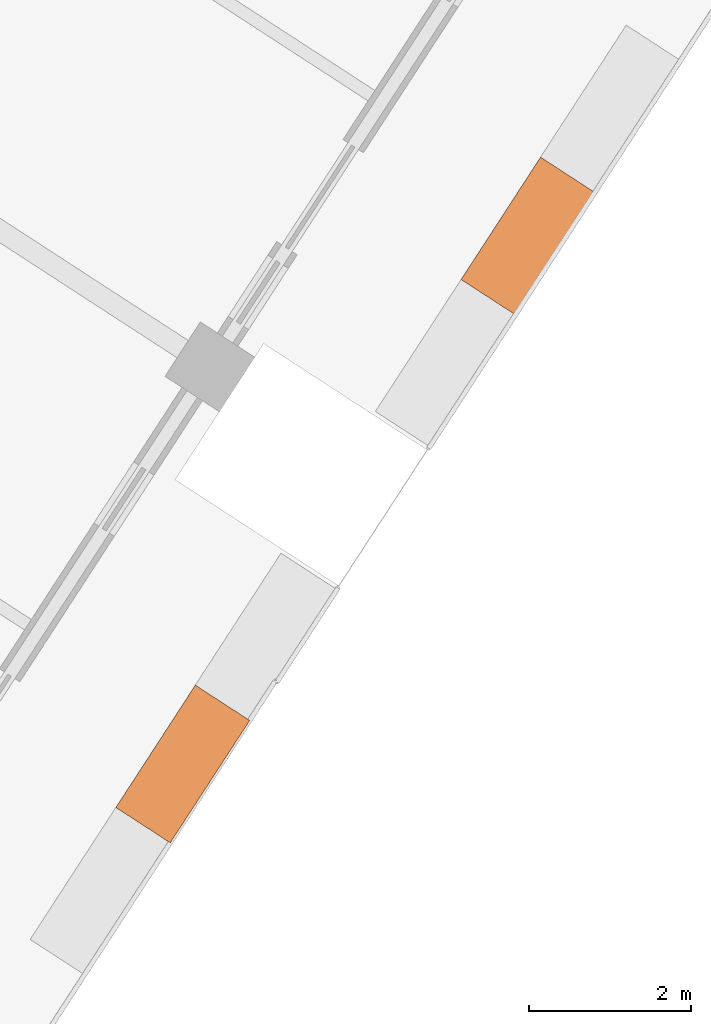
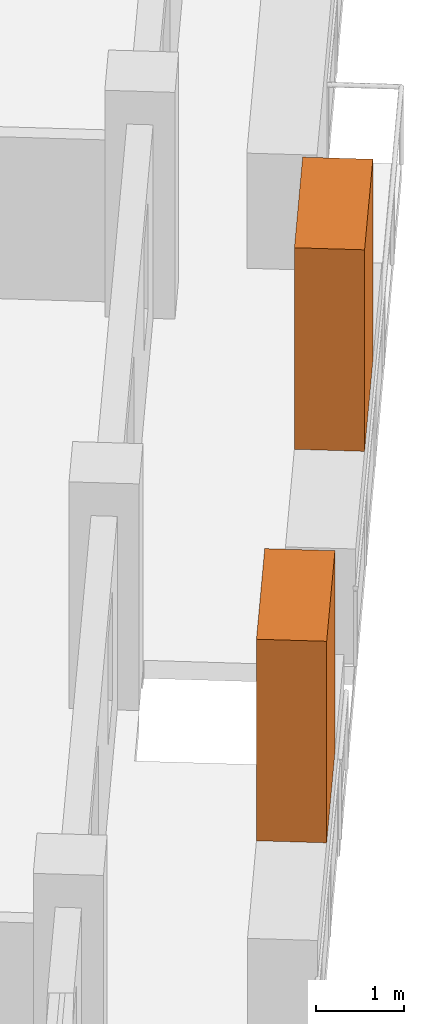
# One storey, part 17 of 17: 2 proxies.
"""IFC4 building model written with IfcOpenShell, lengths in metres."""

import ifcopenshell
import ifcopenshell.guid

model = None  # the IFC model being written
_history = None  # IfcOwnerHistory: only IFC2X3 demands one
_inside = {}  # id of a spatial element -> (the spatial element, [elements in it])
_under = {}  # id of a project, library or spatial element -> (it, [spatial elements below it])
_declared = {}  # id of a project -> (the project, [libraries it declares])
_typed = {}  # id of a type object -> (the type object, [elements of that type])
_made_of = {}  # id of a material, layer set ... -> (it, [elements and type objects made of it])


def new_model(schema):
    """Start an empty IFC model of exactly this schema.

    Asked for "IFC4X3", IfcOpenShell would pick the latest addendum, in which some entities
    have other attributes; the version numbers below select the first issue.
    IFC2X3 requires an IfcOwnerHistory on every rooted entity: one is made here for all.
    """
    global model, _history
    if schema == "IFC4X3":
        model = ifcopenshell.file(schema_version=(4, 3, 0, 0))
    else:
        model = ifcopenshell.file(schema=schema)
    _inside.clear()
    _under.clear()
    _declared.clear()
    _typed.clear()
    _made_of.clear()
    _history = None
    if model.schema == "IFC2X3":
        org = make("IfcOrganization", Name="unknown")
        user = make(
            "IfcPersonAndOrganization",
            ThePerson=make("IfcPerson", FamilyName="unknown"),
            TheOrganization=org,
        )
        app = make(
            "IfcApplication",
            ApplicationDeveloper=org,
            Version="unknown",
            ApplicationFullName="unknown",
            ApplicationIdentifier="unknown",
        )
        _history = make(
            "IfcOwnerHistory",
            OwningUser=user,
            OwningApplication=app,
            ChangeAction="ADDED",
            CreationDate=0,
        )
    return model


def make(cls, **values):
    """One entity of the class cls with the attributes given. An attribute that is None is left unset."""
    return model.create_entity(
        cls, **{name: value for name, value in values.items() if value is not None}
    )


def rooted(cls, **values):
    """An entity with a GlobalId (a new one), such as an element, a storey or a relation."""
    return make(cls, GlobalId=ifcopenshell.guid.new(), OwnerHistory=_history, **values)


def si_unit(unit_type, name, prefix=None):
    """IfcSIUnit, for example si_unit("LENGTHUNIT", "METRE", prefix="MILLI")."""
    return make("IfcSIUnit", UnitType=unit_type, Prefix=prefix, Name=name)


def assignment(units):
    """IfcUnitAssignment: the units of a project."""
    return None if units is None else make("IfcUnitAssignment", Units=units)


def point(xyz):
    """IfcCartesianPoint."""
    return None if xyz is None else make("IfcCartesianPoint", Coordinates=xyz)


def direction(xyz):
    """IfcDirection."""
    return None if xyz is None else make("IfcDirection", DirectionRatios=xyz)


def frame(location, z_axis=None, x_axis=None):
    """IfcAxis2Placement3D, a coordinate frame: its origin and axes. An axis left out is left unset."""
    return make(
        "IfcAxis2Placement3D",
        Location=point(location),
        Axis=direction(z_axis),
        RefDirection=direction(x_axis),
    )


def frame_2d(location, x_axis=None):
    """IfcAxis2Placement2D, a coordinate frame in the plane: its origin and x axis."""
    return make(
        "IfcAxis2Placement2D", Location=point(location), RefDirection=direction(x_axis)
    )


def origin():
    """The frame at (0, 0, 0) with its axes left unset."""
    return frame((0.0, 0.0, 0.0))


def origin_2d():
    """The frame at (0, 0) in the plane with its x axis left unset."""
    return frame_2d((0.0, 0.0))


def place(relative_to, where):
    """IfcLocalPlacement: puts the frame where relative to a parent placement (None: the world)."""
    return make(
        "IfcLocalPlacement", PlacementRelTo=relative_to, RelativePlacement=where
    )


def context(
    kind, dimensions, precision=None, world=None, true_north=None, identifier=None
):
    """IfcGeometricRepresentationContext, for example the 3D "Model" context."""
    return make(
        "IfcGeometricRepresentationContext",
        ContextIdentifier=identifier,
        ContextType=kind,
        CoordinateSpaceDimension=dimensions,
        Precision=precision,
        WorldCoordinateSystem=world,
        TrueNorth=true_north,
    )


def subcontext(parent, identifier, kind, view, scale=None):
    """IfcGeometricRepresentationSubContext, for example "Body" below "Model"."""
    return make(
        "IfcGeometricRepresentationSubContext",
        ContextIdentifier=identifier,
        ContextType=kind,
        ParentContext=parent,
        TargetScale=scale,
        TargetView=view,
    )


def project(units=None, contexts=None):
    """IfcProject with its units and contexts."""
    return rooted(
        "IfcProject",
        Name="project",
        RepresentationContexts=contexts,
        UnitsInContext=assignment(units),
    )


def spatial(cls, under=None, at=None, **own):
    """A site, building, storey or space (cls), placed at a placement, below another one or the project."""
    s = rooted(cls, ObjectPlacement=at, **own)
    if under is not None:
        _under.setdefault(under.id(), (under, []))[1].append(s)
    return s


def profile(cls, at=None, kind="AREA", **sizes):
    """A parametric profile (cls). Its sizes go by their IFC names, for example OverallWidth=200.0."""
    return make(cls, ProfileType=kind, Position=at, **sizes)


def rectangle(**sizes):
    """IfcRectangleProfileDef."""
    return profile("IfcRectangleProfileDef", **sizes)


def extrude(swept, where, along, depth):
    """IfcExtrudedAreaSolid: the profile swept, set in the frame where, extruded along a direction by depth."""
    return make(
        "IfcExtrudedAreaSolid",
        SweptArea=swept,
        Position=where,
        ExtrudedDirection=direction(along),
        Depth=depth,
    )


def shape(context_of_items, identifier, shape_type, items):
    """IfcShapeRepresentation: the items that make up one representation, for example the "Body"."""
    return make(
        "IfcShapeRepresentation",
        ContextOfItems=context_of_items,
        RepresentationIdentifier=identifier,
        RepresentationType=shape_type,
        Items=items,
    )


def made_of(thing, what):
    """Note that an element or type object is made of a material, layer set ...; save() writes the relation."""
    if what is not None:
        _made_of.setdefault(what.id(), (what, []))[1].append(thing)
    return thing


def element(
    cls,
    number,
    at=None,
    inside=None,
    cuts=None,
    type_object=None,
    material=None,
    context=None,
    identifier="Body",
    shape_type=None,
    held_by="IfcProductDefinitionShape",
    body=None,
    shapes=None,
    **own,
):
    """One element of the class cls, such as IfcWall. Its Tag is "e" and its number.

    at: its placement. inside: the storey or other place that contains it. cuts: it is an
    opening in that element (IfcRelVoidsElement). A single representation is given by context,
    identifier, shape_type and body (its items); several are given by shapes. held_by: the class
    of the entity that holds the representations. save() writes the other relations.
    """
    e = rooted(cls, Tag="e%d" % number, ObjectPlacement=at, **own)
    if body is not None:
        shapes = [shape(context, identifier, shape_type, body)]
    if shapes is not None:
        e.Representation = make(held_by, Representations=shapes)
    if inside is not None:
        _inside.setdefault(inside.id(), (inside, []))[1].append(e)
    if cuts is not None:
        rooted(
            "IfcRelVoidsElement", RelatingBuildingElement=cuts, RelatedOpeningElement=e
        )
    if type_object is not None:
        _typed.setdefault(type_object.id(), (type_object, []))[1].append(e)
    return made_of(e, material)


def aggregate(whole, parts):
    """IfcRelAggregates: a whole, such as a stair, and the parts it consists of."""
    return rooted("IfcRelAggregates", RelatingObject=whole, RelatedObjects=parts)


def save(model, path):
    """Write the relations noted so far, then the file.

    IfcRelAggregates (storeys below a building ...), IfcRelContainedInSpatialStructure (elements
    in a storey), IfcRelDefinesByType, IfcRelAssociatesMaterial and IfcRelDeclares: one each for
    every whole, place, type object, material and project.
    """
    for whole, parts in _under.values():
        aggregate(whole, parts)
    for where, things in _inside.values():
        rooted(
            "IfcRelContainedInSpatialStructure",
            RelatedElements=things,
            RelatingStructure=where,
        )
    for kind, things in _typed.values():
        rooted("IfcRelDefinesByType", RelatedObjects=things, RelatingType=kind)
    for what, things in _made_of.values():
        rooted("IfcRelAssociatesMaterial", RelatedObjects=things, RelatingMaterial=what)
    for by, libraries in _declared.values():
        rooted("IfcRelDeclares", RelatingContext=by, RelatedDefinitions=libraries)
    model.write(path)


model = new_model("IFC4")

# Units and contexts
model_context = context("Model", 3, precision=1e-05, world=origin(), true_north=direction((0.0, 1.0)))
body_context = subcontext(model_context, "Body", "Model", "MODEL_VIEW")
ifc_project = project(units=[si_unit("LENGTHUNIT", "METRE"), si_unit("AREAUNIT", "SQUARE_METRE"), si_unit("VOLUMEUNIT", "CUBIC_METRE"), si_unit("PLANEANGLEUNIT", "RADIAN"), si_unit("MASSUNIT", "GRAM", prefix="KILO")], contexts=[model_context])

# Site, building, storey
site_placement = place(None, origin())
site = spatial("IfcSite", under=ifc_project, at=site_placement, CompositionType="ELEMENT")
building_placement = place(site_placement, origin())
building = spatial("IfcBuilding", under=site, at=building_placement, Name="Cantera Rosa Tower", CompositionType="ELEMENT")
storey_placement = place(building_placement, frame((0.0, 0.0, 286.5)))
storey = spatial("IfcBuildingStorey", under=building, at=storey_placement, Name="L65", CompositionType="ELEMENT", Elevation=286.5)

# Proxies
for number, where, z_axis, x_axis, name in (
    (1, (14.65576171875, -19.271240234375, 1.60009765625), (0.0, 0.0, 1.0), (0.544639035015, 0.838670567945, 0.0), "TREE L65-15"),
    (2, (18.91357421875, -12.759521484375, 1.60009765625), (0.0, 0.0, 1.0), (0.544639035015, 0.838670567945, 0.0), "TREE L65-16"),
):
    element("IfcBuildingElementProxy", number, at=place(storey_placement, frame(where, z_axis=z_axis, x_axis=x_axis)), inside=storey, Name=name, ObjectType="TREE", PredefinedType="USERDEFINED", context=body_context, shape_type="SweptSolid", body=[
        extrude(rectangle(XDim=1.800048828125, YDim=0.800048828125, at=origin_2d()), origin(), (0.0, 0.0, 1.0), 2.800048828125),
    ])

save(model, "model.ifc")
